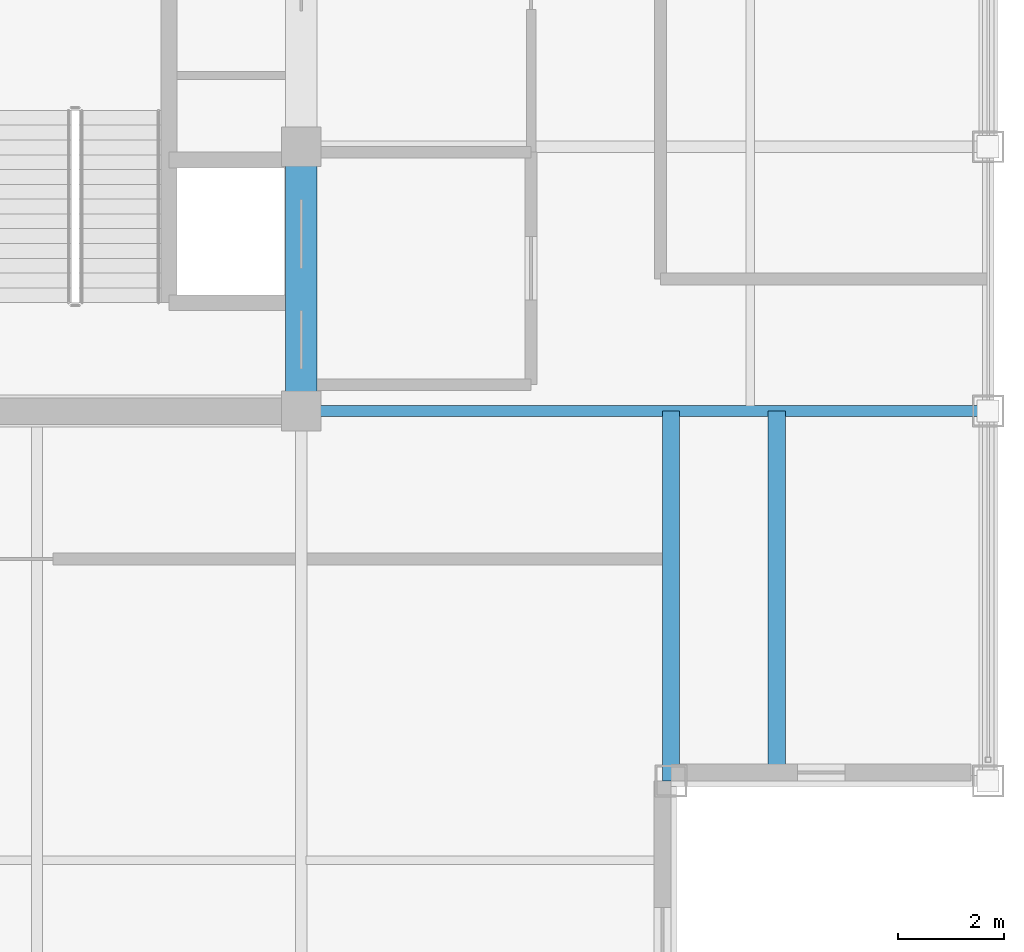
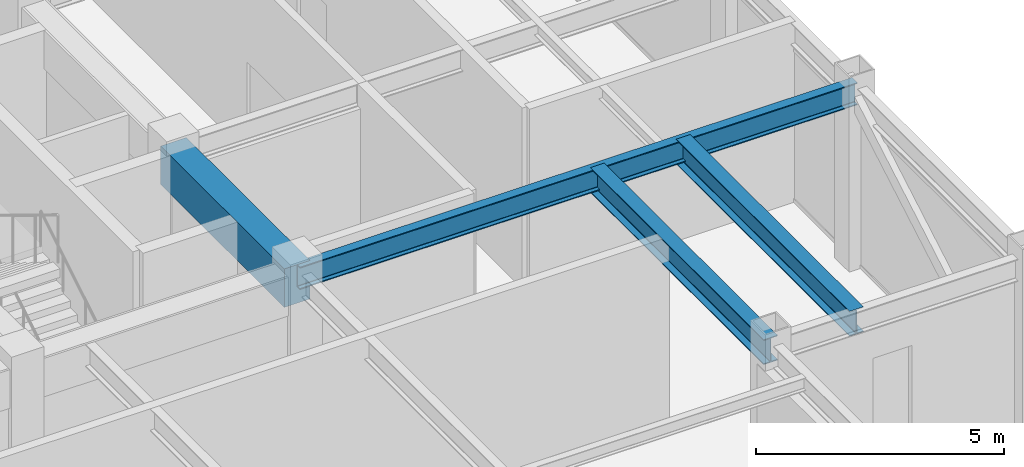
# One storey, part 9 of 27: 4 beams.
"""IFC4 building model written with IfcOpenShell, lengths in metres."""

import ifcopenshell
import ifcopenshell.guid

model = None  # the IFC model being written
_history = None  # IfcOwnerHistory: only IFC2X3 demands one
_inside = {}  # id of a spatial element -> (the spatial element, [elements in it])
_under = {}  # id of a project, library or spatial element -> (it, [spatial elements below it])
_declared = {}  # id of a project -> (the project, [libraries it declares])
_typed = {}  # id of a type object -> (the type object, [elements of that type])
_made_of = {}  # id of a material, layer set ... -> (it, [elements and type objects made of it])


def new_model(schema):
    """Start an empty IFC model of exactly this schema.

    Asked for "IFC4X3", IfcOpenShell would pick the latest addendum, in which some entities
    have other attributes; the version numbers below select the first issue.
    IFC2X3 requires an IfcOwnerHistory on every rooted entity: one is made here for all.
    """
    global model, _history
    if schema == "IFC4X3":
        model = ifcopenshell.file(schema_version=(4, 3, 0, 0))
    else:
        model = ifcopenshell.file(schema=schema)
    _inside.clear()
    _under.clear()
    _declared.clear()
    _typed.clear()
    _made_of.clear()
    _history = None
    if model.schema == "IFC2X3":
        org = make("IfcOrganization", Name="unknown")
        user = make(
            "IfcPersonAndOrganization",
            ThePerson=make("IfcPerson", FamilyName="unknown"),
            TheOrganization=org,
        )
        app = make(
            "IfcApplication",
            ApplicationDeveloper=org,
            Version="unknown",
            ApplicationFullName="unknown",
            ApplicationIdentifier="unknown",
        )
        _history = make(
            "IfcOwnerHistory",
            OwningUser=user,
            OwningApplication=app,
            ChangeAction="ADDED",
            CreationDate=0,
        )
    return model


def make(cls, **values):
    """One entity of the class cls with the attributes given. An attribute that is None is left unset."""
    return model.create_entity(
        cls, **{name: value for name, value in values.items() if value is not None}
    )


def rooted(cls, **values):
    """An entity with a GlobalId (a new one), such as an element, a storey or a relation."""
    return make(cls, GlobalId=ifcopenshell.guid.new(), OwnerHistory=_history, **values)


def si_unit(unit_type, name, prefix=None):
    """IfcSIUnit, for example si_unit("LENGTHUNIT", "METRE", prefix="MILLI")."""
    return make("IfcSIUnit", UnitType=unit_type, Prefix=prefix, Name=name)


def assignment(units):
    """IfcUnitAssignment: the units of a project."""
    return None if units is None else make("IfcUnitAssignment", Units=units)


def point(xyz):
    """IfcCartesianPoint."""
    return None if xyz is None else make("IfcCartesianPoint", Coordinates=xyz)


def direction(xyz):
    """IfcDirection."""
    return None if xyz is None else make("IfcDirection", DirectionRatios=xyz)


def frame(location, z_axis=None, x_axis=None):
    """IfcAxis2Placement3D, a coordinate frame: its origin and axes. An axis left out is left unset."""
    return make(
        "IfcAxis2Placement3D",
        Location=point(location),
        Axis=direction(z_axis),
        RefDirection=direction(x_axis),
    )


def frame_2d(location, x_axis=None):
    """IfcAxis2Placement2D, a coordinate frame in the plane: its origin and x axis."""
    return make(
        "IfcAxis2Placement2D", Location=point(location), RefDirection=direction(x_axis)
    )


def origin():
    """The frame at (0, 0, 0) with its axes left unset."""
    return frame((0.0, 0.0, 0.0))


def origin_2d():
    """The frame at (0, 0) in the plane with its x axis left unset."""
    return frame_2d((0.0, 0.0))


def place(relative_to, where):
    """IfcLocalPlacement: puts the frame where relative to a parent placement (None: the world)."""
    return make(
        "IfcLocalPlacement", PlacementRelTo=relative_to, RelativePlacement=where
    )


def context(
    kind, dimensions, precision=None, world=None, true_north=None, identifier=None
):
    """IfcGeometricRepresentationContext, for example the 3D "Model" context."""
    return make(
        "IfcGeometricRepresentationContext",
        ContextIdentifier=identifier,
        ContextType=kind,
        CoordinateSpaceDimension=dimensions,
        Precision=precision,
        WorldCoordinateSystem=world,
        TrueNorth=true_north,
    )


def subcontext(parent, identifier, kind, view, scale=None):
    """IfcGeometricRepresentationSubContext, for example "Body" below "Model"."""
    return make(
        "IfcGeometricRepresentationSubContext",
        ContextIdentifier=identifier,
        ContextType=kind,
        ParentContext=parent,
        TargetScale=scale,
        TargetView=view,
    )


def project(units=None, contexts=None):
    """IfcProject with its units and contexts."""
    return rooted(
        "IfcProject",
        Name="project",
        RepresentationContexts=contexts,
        UnitsInContext=assignment(units),
    )


def spatial(cls, under=None, at=None, **own):
    """A site, building, storey or space (cls), placed at a placement, below another one or the project."""
    s = rooted(cls, ObjectPlacement=at, **own)
    if under is not None:
        _under.setdefault(under.id(), (under, []))[1].append(s)
    return s


def profile(cls, at=None, kind="AREA", **sizes):
    """A parametric profile (cls). Its sizes go by their IFC names, for example OverallWidth=200.0."""
    return make(cls, ProfileType=kind, Position=at, **sizes)


def rectangle(**sizes):
    """IfcRectangleProfileDef."""
    return profile("IfcRectangleProfileDef", **sizes)


def i_section(**sizes):
    """IfcIShapeProfileDef."""
    return profile("IfcIShapeProfileDef", **sizes)


def extrude(swept, where, along, depth):
    """IfcExtrudedAreaSolid: the profile swept, set in the frame where, extruded along a direction by depth."""
    return make(
        "IfcExtrudedAreaSolid",
        SweptArea=swept,
        Position=where,
        ExtrudedDirection=direction(along),
        Depth=depth,
    )


def shape(context_of_items, identifier, shape_type, items):
    """IfcShapeRepresentation: the items that make up one representation, for example the "Body"."""
    return make(
        "IfcShapeRepresentation",
        ContextOfItems=context_of_items,
        RepresentationIdentifier=identifier,
        RepresentationType=shape_type,
        Items=items,
    )


def source(mapping_origin, context_of_items, identifier, shape_type, items):
    """IfcRepresentationMap: a shape defined once, which mapped items show again and again."""
    return make(
        "IfcRepresentationMap",
        MappingOrigin=mapping_origin,
        MappedRepresentation=shape(context_of_items, identifier, shape_type, items),
    )


def transform(
    local_origin,
    x_axis=None,
    y_axis=None,
    z_axis=None,
    scale=None,
    scale2=None,
    scale3=None,
    uniform=True,
):
    """IfcCartesianTransformationOperator3D, or its non-uniform kind. x_axis, y_axis, z_axis: its Axis1, 2, 3."""
    if uniform:
        return make(
            "IfcCartesianTransformationOperator3D",
            Axis1=direction(x_axis),
            Axis2=direction(y_axis),
            LocalOrigin=point(local_origin),
            Scale=scale,
            Axis3=direction(z_axis),
        )
    return make(
        "IfcCartesianTransformationOperator3DnonUniform",
        Axis1=direction(x_axis),
        Axis2=direction(y_axis),
        LocalOrigin=point(local_origin),
        Scale=scale,
        Axis3=direction(z_axis),
        Scale2=scale2,
        Scale3=scale3,
    )


def mapped(mapping_source, mapping_target):
    """IfcMappedItem: shows the shape of a source again, moved by a transform."""
    return make(
        "IfcMappedItem", MappingSource=mapping_source, MappingTarget=mapping_target
    )


def material(Name=None, Category=None):
    """IfcMaterial."""
    return make("IfcMaterial", Name=Name, Category=Category)


def material_profile(
    of_material, cross_section, Name=None, Category=None, Priority=None
):
    """IfcMaterialProfile: a cross section and its material."""
    return make(
        "IfcMaterialProfile",
        Name=Name,
        Material=of_material,
        Profile=cross_section,
        Priority=Priority,
        Category=Category,
    )


def profile_set(profiles, Name=None, composite=None):
    """IfcMaterialProfileSet."""
    return make(
        "IfcMaterialProfileSet",
        Name=Name,
        MaterialProfiles=profiles,
        CompositeProfile=composite,
    )


def made_of(thing, what):
    """Note that an element or type object is made of a material, layer set ...; save() writes the relation."""
    if what is not None:
        _made_of.setdefault(what.id(), (what, []))[1].append(thing)
    return thing


def type_object(cls, material=None, **own):
    """A type object (cls), such as IfcWallType, which elements share."""
    return made_of(rooted(cls, **own), material)


def element(
    cls,
    number,
    at=None,
    inside=None,
    cuts=None,
    type_object=None,
    material=None,
    context=None,
    identifier="Body",
    shape_type=None,
    held_by="IfcProductDefinitionShape",
    body=None,
    shapes=None,
    **own,
):
    """One element of the class cls, such as IfcWall. Its Tag is "e" and its number.

    at: its placement. inside: the storey or other place that contains it. cuts: it is an
    opening in that element (IfcRelVoidsElement). A single representation is given by context,
    identifier, shape_type and body (its items); several are given by shapes. held_by: the class
    of the entity that holds the representations. save() writes the other relations.
    """
    e = rooted(cls, Tag="e%d" % number, ObjectPlacement=at, **own)
    if body is not None:
        shapes = [shape(context, identifier, shape_type, body)]
    if shapes is not None:
        e.Representation = make(held_by, Representations=shapes)
    if inside is not None:
        _inside.setdefault(inside.id(), (inside, []))[1].append(e)
    if cuts is not None:
        rooted(
            "IfcRelVoidsElement", RelatingBuildingElement=cuts, RelatedOpeningElement=e
        )
    if type_object is not None:
        _typed.setdefault(type_object.id(), (type_object, []))[1].append(e)
    return made_of(e, material)


def aggregate(whole, parts):
    """IfcRelAggregates: a whole, such as a stair, and the parts it consists of."""
    return rooted("IfcRelAggregates", RelatingObject=whole, RelatedObjects=parts)


def save(model, path):
    """Write the relations noted so far, then the file.

    IfcRelAggregates (storeys below a building ...), IfcRelContainedInSpatialStructure (elements
    in a storey), IfcRelDefinesByType, IfcRelAssociatesMaterial and IfcRelDeclares: one each for
    every whole, place, type object, material and project.
    """
    for whole, parts in _under.values():
        aggregate(whole, parts)
    for where, things in _inside.values():
        rooted(
            "IfcRelContainedInSpatialStructure",
            RelatedElements=things,
            RelatingStructure=where,
        )
    for kind, things in _typed.values():
        rooted("IfcRelDefinesByType", RelatedObjects=things, RelatingType=kind)
    for what, things in _made_of.values():
        rooted("IfcRelAssociatesMaterial", RelatedObjects=things, RelatingMaterial=what)
    for by, libraries in _declared.values():
        rooted("IfcRelDeclares", RelatingContext=by, RelatedDefinitions=libraries)
    model.write(path)


model = new_model("IFC4")

# Units and contexts
model_context = context("Model", 3, precision=1e-05, world=origin(), true_north=direction((0.0, 1.0)))
body_context = subcontext(model_context, "Body", "Model", "MODEL_VIEW")
ifc_project = project(units=[si_unit("LENGTHUNIT", "METRE"), si_unit("AREAUNIT", "SQUARE_METRE"), si_unit("VOLUMEUNIT", "CUBIC_METRE"), si_unit("PLANEANGLEUNIT", "RADIAN"), si_unit("MASSUNIT", "GRAM", prefix="KILO")], contexts=[model_context])

# Site, building, storey
site_placement = place(None, origin())
site = spatial("IfcSite", under=ifc_project, at=site_placement, CompositionType="ELEMENT")
building_placement = place(site_placement, origin())
building = spatial("IfcBuilding", under=site, at=building_placement, Name="Khorayat Bourse Tower", CompositionType="ELEMENT")
storey_placement = place(building_placement, frame((0.0, 0.0, 385.10009765625)))
storey = spatial("IfcBuildingStorey", under=building, at=storey_placement, Name="L91", CompositionType="ELEMENT", Elevation=385.10009765625)

# Beams
ifc_material_1 = material(Name="Concrete C60/75", Category="concrete")
ifc_material_profile_1 = material_profile(ifc_material_1, rectangle(XDim=0.60009765625, YDim=0.949951171875, at=origin_2d()), Name="RC 600x950")
ifc_profile_set_1 = profile_set([ifc_material_profile_1], Name="Concrete C60/75")
beam_type_1 = type_object("IfcBeamType", Name="BM-COUP-950", PredefinedType="BEAM", material=ifc_profile_set_1)
shared_shape_1 = source(origin(), body_context, "Body", "SweptSolid", [
    extrude(rectangle(XDim=0.60009765625, YDim=0.949951171875, at=origin_2d()), origin(), (0.0, 0.0, 1.0), 5.0),
])
beam_1_placement = place(storey_placement, frame((11.0, -11.0, 3.974853515625), z_axis=(0.0, 1.0, 0.0), x_axis=(-1.0, 0.0, 0.0)))
element("IfcBeam", 1, at=beam_1_placement, inside=storey, type_object=beam_type_1, Name="L91 BM-COUP-950 BM-L91-CRX-13", PredefinedType="BEAM", context=body_context, shape_type="MappedRepresentation", body=[
    mapped(shared_shape_1, transform((0.0, 0.0, 0.0), scale=1.0)),
])
ifc_material_2 = material(Name="Steel ASTM A992 Grade 50", Category="steel")
ifc_material_profile_2 = material_profile(ifc_material_2, i_section(OverallWidth=0.214111328125, OverallDepth=0.549072265625, WebThickness=0.0146484375, FlangeThickness=0.023681640625, FilletRadius=0.013916015625, at=origin_2d()), Name="W530X138")
ifc_profile_set_2 = profile_set([ifc_material_profile_2], Name="Steel ASTM A992 Grade 50")
beam_type_2 = type_object("IfcBeamType", Name="BM-GIRD-530", PredefinedType="BEAM", material=ifc_profile_set_2)
shared_shape_2 = source(origin(), body_context, "Body", "SweptSolid", [
    extrude(i_section(OverallWidth=0.214111328125, OverallDepth=0.549072265625, WebThickness=0.0146484375, FlangeThickness=0.023681640625, FilletRadius=0.013916015625, at=origin_2d()), origin(), (0.0, 0.0, 1.0), 13.0),
])
beam_2_placement = place(storey_placement, frame((11.0, -11.0, 4.17529296875), z_axis=(1.0, 0.0, 0.0), x_axis=(0.0, 1.0, 0.0)))
element("IfcBeam", 2, at=beam_2_placement, inside=storey, type_object=beam_type_2, Name="L91 BM-GIRD-530 BM-L91-RADX-066", PredefinedType="BEAM", context=body_context, shape_type="MappedRepresentation", body=[
    mapped(shared_shape_2, transform((0.0, 0.0, 0.0), scale=1.0)),
])
ifc_material_profile_3 = material_profile(ifc_material_2, i_section(OverallWidth=0.324951171875, OverallDepth=0.615966796875, WebThickness=0.013916015625, FlangeThickness=0.021484375, FilletRadius=0.01611328125, at=origin_2d()), Name="W610X174")
ifc_profile_set_3 = profile_set([ifc_material_profile_3], Name="Steel ASTM A992 Grade 50")
beam_type_3 = type_object("IfcBeamType", Name="BM-GIRD-610", PredefinedType="BEAM", material=ifc_profile_set_3)
shared_shape_3 = source(origin(), body_context, "Body", "SweptSolid", [
    extrude(i_section(OverallWidth=0.324951171875, OverallDepth=0.615966796875, WebThickness=0.013916015625, FlangeThickness=0.021484375, FilletRadius=0.01611328125, at=origin_2d()), origin(), (0.0, 0.0, 1.0), 7.0),
])
for number, where, z_axis, x_axis, name in (
    (3, (18.0, -18.0, 4.141845703125), (0.0, 1.0, 0.0), (-1.0, 0.0, 0.0), "L91 BM-GIRD-610 BM-L91-CNRY-078"),
    (4, (20.0, -18.0, 4.141845703125), (0.0, 1.0, 0.0), (-1.0, 0.0, 0.0), "L91 BM-GIRD-610 BM-L91-CNRY-082"),
):
    element("IfcBeam", number, at=place(storey_placement, frame(where, z_axis=z_axis, x_axis=x_axis)), inside=storey, type_object=beam_type_3, Name=name, PredefinedType="BEAM", context=body_context, shape_type="MappedRepresentation", body=[
        mapped(shared_shape_3, transform((0.0, 0.0, 0.0), scale=1.0)),
    ])

save(model, "model.ifc")
